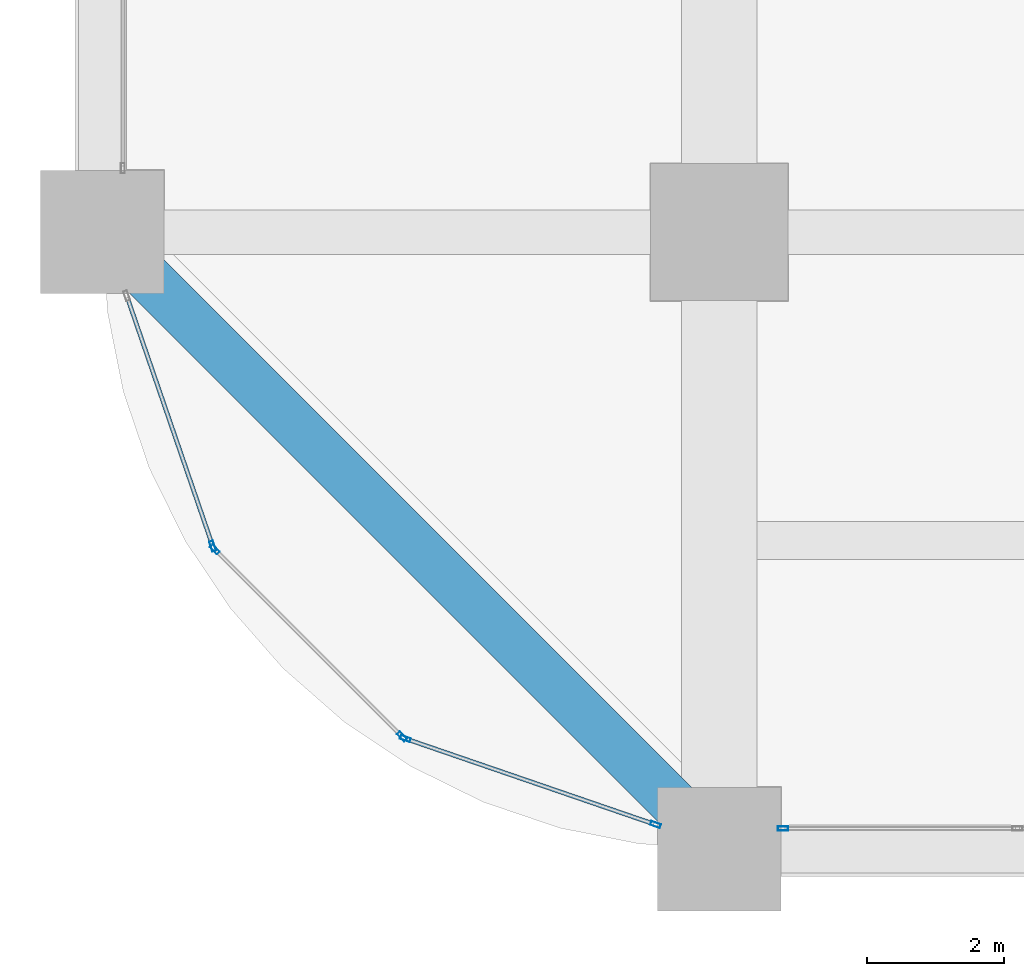
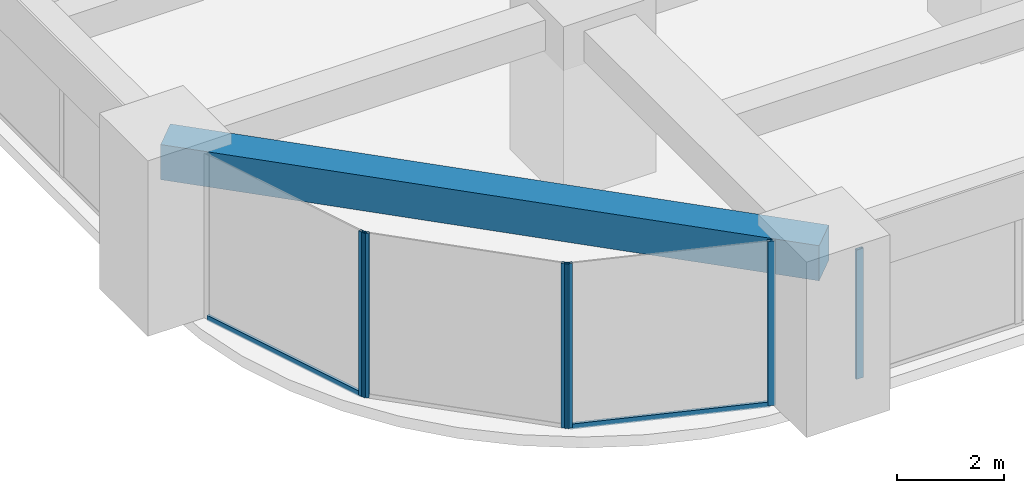
# One storey, part 2 of 39: 8 members, 1 beam, 4 elements without a shape of their own.
"""IFC4 building model written with IfcOpenShell, lengths in metres."""

from ifc_helpers import new_model, si_unit, direction, frame, origin, origin_2d, place, context, subcontext, project, spatial, rectangle, hollow_rectangle, extrude, material, material_profile, profile_set, type_object, element, aggregate, save


model = new_model("IFC4")

# Units and contexts
model_context = context("Model", 3, precision=1e-05, world=origin(), true_north=direction((0.0, 1.0)))
body_context = subcontext(model_context, "Body", "Model", "MODEL_VIEW")
ifc_project = project(units=[si_unit("LENGTHUNIT", "METRE"), si_unit("AREAUNIT", "SQUARE_METRE"), si_unit("VOLUMEUNIT", "CUBIC_METRE"), si_unit("PLANEANGLEUNIT", "RADIAN"), si_unit("MASSUNIT", "GRAM", prefix="KILO")], contexts=[model_context])

# Site, building, storey
site_placement = place(None, origin())
site = spatial("IfcSite", under=ifc_project, at=site_placement, CompositionType="ELEMENT")
building_placement = place(site_placement, origin())
building = spatial("IfcBuilding", under=site, at=building_placement, Name="Zorevar Civic Tower", CompositionType="ELEMENT")
storey_placement = place(building_placement, frame((0.0, 0.0, 121.0)))
storey = spatial("IfcBuildingStorey", under=building, at=storey_placement, Name="L29", CompositionType="ELEMENT", Elevation=121.0)

# Curtain wall, member
ifc_material_1 = material(Name="Dark grey solar-control glass in black aluminium frame", Category="aluminium")
curtain_wall_type = type_object("IfcCurtainWallType", Name="Curtain wall CW3 mid zone", PredefinedType="NOTDEFINED", material=ifc_material_1)
curtain_wall_1_placement = place(storey_placement, origin())
curtain_wall_1 = element("IfcCurtainWall", 1, at=curtain_wall_1_placement, inside=storey, type_object=curtain_wall_type, Name="CW3 L29", PredefinedType="NOTDEFINED")
ifc_material_2 = material(Name="Aluminium, black anodised", Category="aluminium")
ifc_material_profile_1 = material_profile(ifc_material_2, hollow_rectangle(XDim=0.06005859375, YDim=0.14990234375, WallThickness=0.00390625, at=origin_2d()), Name="AL 150x60x4")
ifc_profile_set_1 = profile_set([ifc_material_profile_1], Name="Aluminium, black anodised")
member_type_1 = type_object("IfcMemberType", Name="CW3 mullion AL 150x60x4", PredefinedType="MULLION", material=ifc_profile_set_1)
member_1_placement = place(storey_placement, frame((9.929931640625, 0.300048828125, 0.0), z_axis=(0.0, 0.0, 1.0), x_axis=(0.0, 1.0, 0.0)))
member_1 = element("IfcMember", 2, at=member_1_placement, type_object=member_type_1, Name="CW3 mullion 1", PredefinedType="MULLION", context=body_context, shape_type="SweptSolid", body=[
    extrude(hollow_rectangle(XDim=0.06005859375, YDim=0.14990234375, WallThickness=0.00390625, at=origin_2d()), origin(), (0.0, 0.0, 1.0), 2.949951171875),
])
aggregate(curtain_wall_1, [member_1])

curtain_wall_2_placement = place(storey_placement, origin())
curtain_wall_2 = element("IfcCurtainWall", 3, at=curtain_wall_2_placement, inside=storey, type_object=curtain_wall_type, Name="CW3 L29", PredefinedType="NOTDEFINED")
member_2_placement = place(storey_placement, frame((1.610595703125, 4.420654296875, 0.0), z_axis=(0.0, 0.0, 1.0), x_axis=(0.945755772794, 0.324878466857, 0.0)))
member_2 = element("IfcMember", 4, at=member_2_placement, type_object=member_type_1, Name="CW3 mullion 2", PredefinedType="MULLION", context=body_context, shape_type="SweptSolid", body=[
    extrude(hollow_rectangle(XDim=0.06005859375, YDim=0.14990234375, WallThickness=0.00390625, at=origin_2d()), origin(), (0.0, 0.0, 1.0), 3.75),
])

# Curtain wall, members
curtain_wall_3_placement = place(storey_placement, origin())
curtain_wall_3 = element("IfcCurtainWall", 5, at=curtain_wall_3_placement, inside=storey, type_object=curtain_wall_type, Name="CW3 L29", PredefinedType="NOTDEFINED")
member_3_placement = place(storey_placement, frame((1.6416015625, 4.37109375, 0.0), z_axis=(0.0, 0.0, 1.0), x_axis=(0.707106781187, 0.707106781187, 0.0)))
member_3 = element("IfcMember", 6, at=member_3_placement, type_object=member_type_1, Name="CW3 mullion 1", PredefinedType="MULLION", context=body_context, shape_type="SweptSolid", body=[
    extrude(hollow_rectangle(XDim=0.06005859375, YDim=0.14990234375, WallThickness=0.00390625, at=origin_2d()), origin(), (0.0, 0.0, 1.0), 3.75),
])
member_4_placement = place(storey_placement, frame((4.37109375, 1.6416015625, 0.0), z_axis=(0.0, 0.0, 1.0), x_axis=(0.707106781187, 0.707106781187, 0.0)))
member_4 = element("IfcMember", 7, at=member_4_placement, type_object=member_type_1, Name="CW3 mullion 2", PredefinedType="MULLION", context=body_context, shape_type="SweptSolid", body=[
    extrude(hollow_rectangle(XDim=0.06005859375, YDim=0.14990234375, WallThickness=0.00390625, at=origin_2d()), origin(), (0.0, 0.0, 1.0), 3.75),
])
aggregate(curtain_wall_3, [member_3, member_4])

curtain_wall_4_placement = place(storey_placement, origin())
curtain_wall_4 = element("IfcCurtainWall", 8, at=curtain_wall_4_placement, inside=storey, type_object=curtain_wall_type, Name="CW3 L29", PredefinedType="NOTDEFINED")
member_5_placement = place(storey_placement, frame((4.420654296875, 1.610595703125, 0.0), z_axis=(0.0, 0.0, 1.0), x_axis=(0.324878466857, 0.945755772794, 0.0)))
member_5 = element("IfcMember", 9, at=member_5_placement, type_object=member_type_1, Name="CW3 mullion 1", PredefinedType="MULLION", context=body_context, shape_type="SweptSolid", body=[
    extrude(hollow_rectangle(XDim=0.06005859375, YDim=0.14990234375, WallThickness=0.00390625, at=origin_2d()), origin(), (0.0, 0.0, 1.0), 3.75),
])
member_6_placement = place(storey_placement, frame((8.071533203125, 0.3564453125, 0.0), z_axis=(0.0, 0.0, 1.0), x_axis=(0.324878466857, 0.945755772794, 0.0)))
member_6 = element("IfcMember", 10, at=member_6_placement, type_object=member_type_1, Name="CW3 mullion 2", PredefinedType="MULLION", context=body_context, shape_type="SweptSolid", body=[
    extrude(hollow_rectangle(XDim=0.06005859375, YDim=0.14990234375, WallThickness=0.00390625, at=origin_2d()), origin(), (0.0, 0.0, 1.0), 3.75),
])

# Member
ifc_material_3 = material(Name="Aluminium, black anodised", Category="aluminium")
ifc_material_profile_2 = material_profile(ifc_material_3, hollow_rectangle(XDim=0.06005859375, YDim=0.1201171875, WallThickness=0.0029296875, at=origin_2d()), Name="AL 120x60x3")
ifc_profile_set_2 = profile_set([ifc_material_profile_2], Name="Aluminium, black anodised")
member_type_2 = type_object("IfcMemberType", Name="CW3 transom AL 120x60x3", PredefinedType="USERDEFINED", material=ifc_profile_set_2)
member_7_placement = place(storey_placement, frame((0.3662109375, 8.043212890625, 0.030029296875), z_axis=(0.324887643602, -0.945752620422, 0.0), x_axis=(0.945752620422, 0.324887643602, 0.0)))
member_7 = element("IfcMember", 11, at=member_7_placement, type_object=member_type_2, Name="CW3 sill transom", ObjectType="TRANSOM", PredefinedType="USERDEFINED", context=body_context, shape_type="SweptSolid", body=[
    extrude(hollow_rectangle(XDim=0.06005859375, YDim=0.1201171875, WallThickness=0.0029296875, at=origin_2d()), origin(), (0.0, 0.0, 1.0), 3.800048828125),
])

aggregate(curtain_wall_2, [member_2, member_7])

member_8_placement = place(storey_placement, frame((4.44921875, 1.600830078125, 0.030029296875), z_axis=(0.945752620422, -0.324887643602, 0.0), x_axis=(0.324887643602, 0.945752620422, 0.0)))
member_8 = element("IfcMember", 12, at=member_8_placement, type_object=member_type_2, Name="CW3 sill transom", ObjectType="TRANSOM", PredefinedType="USERDEFINED", context=body_context, shape_type="SweptSolid", body=[
    extrude(hollow_rectangle(XDim=0.06005859375, YDim=0.1201171875, WallThickness=0.0029296875, at=origin_2d()), origin(), (0.0, 0.0, 1.0), 3.800048828125),
])

aggregate(curtain_wall_4, [member_5, member_6, member_8])

# Beam
ifc_material_4 = material(Name="Concrete C50/60", Category="concrete")
ifc_material_profile_3 = material_profile(ifc_material_4, rectangle(XDim=0.699951171875, YDim=0.800048828125, at=origin_2d()), Name="RC 700x800")
ifc_profile_set_3 = profile_set([ifc_material_profile_3], Name="Concrete C50/60")
beam_type = type_object("IfcBeamType", Name="Edge beam RC 700x800", PredefinedType="SPANDREL", material=ifc_profile_set_3)
beam_placement = place(storey_placement, frame((0.0, 9.0, 3.35009765625), z_axis=(0.707106781187, -0.707106781187, 0.0), x_axis=(0.707106781187, 0.707106781187, 0.0)))
element("IfcBeam", 13, at=beam_placement, inside=storey, type_object=beam_type, Name="Corner edge beam L30", PredefinedType="SPANDREL", context=body_context, shape_type="SweptSolid", body=[
    extrude(rectangle(XDim=0.699951171875, YDim=0.800048828125, at=origin_2d()), origin(), (0.0, 0.0, 1.0), 12.72802734375),
])

save(model, "model.ifc")
